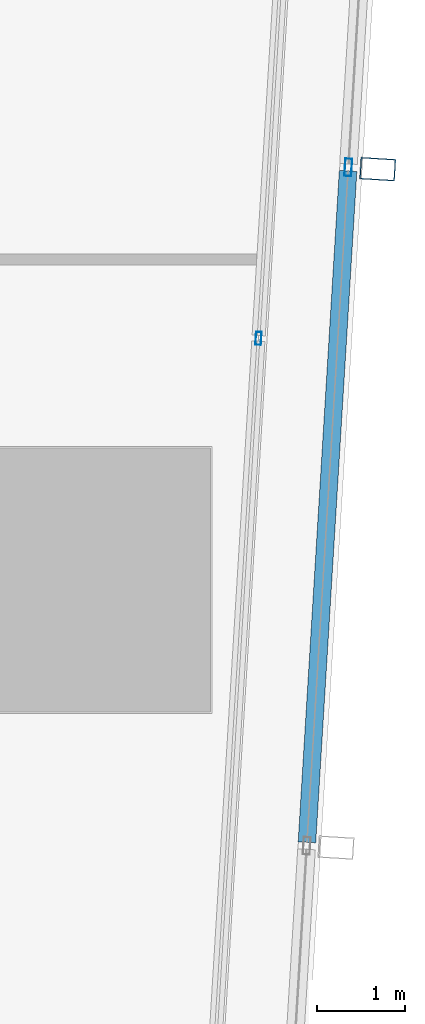
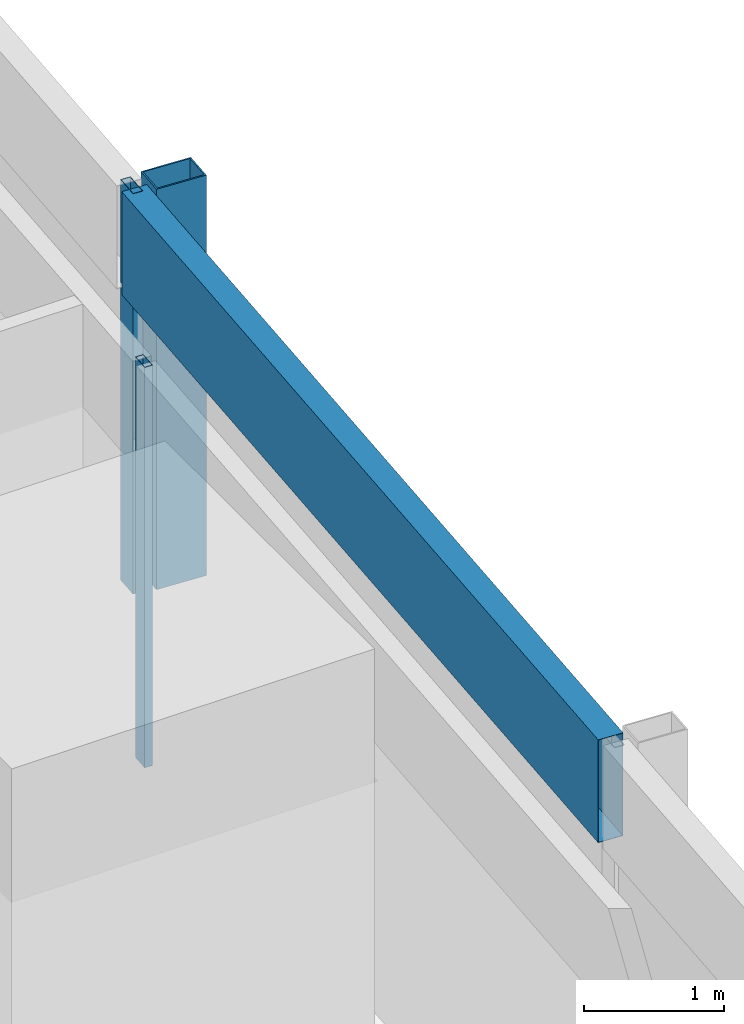
# One storey, part 24 of 39: 4 members, 2 elements without a shape of their own.
"""IFC4 building model written with IfcOpenShell, lengths in metres."""

from ifc_helpers import new_model, si_unit, direction, frame, origin, origin_2d, place, context, subcontext, project, spatial, hollow_rectangle, extrude, material, material_profile, profile_set, type_object, element, aggregate, save


model = new_model("IFC4")

# Units and contexts
model_context = context("Model", 3, precision=1e-05, world=origin(), true_north=direction((0.0, 1.0)))
body_context = subcontext(model_context, "Body", "Model", "MODEL_VIEW")
ifc_project = project(units=[si_unit("LENGTHUNIT", "METRE"), si_unit("AREAUNIT", "SQUARE_METRE"), si_unit("VOLUMEUNIT", "CUBIC_METRE"), si_unit("PLANEANGLEUNIT", "RADIAN"), si_unit("MASSUNIT", "GRAM", prefix="KILO")], contexts=[model_context])

# Site, building, storey
site_placement = place(None, origin())
site = spatial("IfcSite", under=ifc_project, at=site_placement, CompositionType="ELEMENT")
building_placement = place(site_placement, origin())
building = spatial("IfcBuilding", under=site, at=building_placement, Name="Rekha Terrace Tower", CompositionType="ELEMENT")
storey_placement = place(building_placement, frame((0.0, 0.0, 155.300048828125)))
storey = spatial("IfcBuildingStorey", under=building, at=storey_placement, Name="L39", CompositionType="ELEMENT", Elevation=155.300048828125)

# Curtain wall, member
ifc_material_1 = material(Name="Aluminium framing", Category="aluminium")
curtain_wall_type_1 = type_object("IfcCurtainWallType", Name="CW2 double skin outer glazing", PredefinedType="USERDEFINED", material=ifc_material_1)
curtain_wall_1_placement = place(storey_placement, origin())
curtain_wall_1 = element("IfcCurtainWall", 1, at=curtain_wall_1_placement, inside=storey, type_object=curtain_wall_type_1, Name="CW2 double skin outer glazing", ObjectType="DOUBLE SKIN OUTER GLAZING", PredefinedType="USERDEFINED")
ifc_material_2 = material(Name="Steel S355 with fluorocarbon finish", Category="steel")
ifc_material_profile_1 = material_profile(ifc_material_2, hollow_rectangle(XDim=0.25, YDim=0.39990234375, WallThickness=0.012451171875, at=origin_2d()), Name="RHS400x250x12.5")
ifc_profile_set_1 = profile_set([ifc_material_profile_1], Name="Steel S355 with fluorocarbon finish")
member_type_1 = type_object("IfcMemberType", Name="BL1 facade blade RHS 400 x 250", PredefinedType="USERDEFINED", material=ifc_profile_set_1)
member_1_placement = place(storey_placement, frame((70.601318359375, 38.27001953125, 0.0), z_axis=(0.0, 0.0, 1.0), x_axis=(0.061160031881, 0.998127973008, 0.0)))
member_1 = element("IfcMember", 2, at=member_1_placement, type_object=member_type_1, Name="Facade blade", ObjectType="FACADE BLADE", PredefinedType="USERDEFINED", context=body_context, shape_type="SweptSolid", body=[
    extrude(hollow_rectangle(XDim=0.25, YDim=0.39990234375, WallThickness=0.012451171875, at=origin_2d()), origin(), (0.0, 0.0, 1.0), 3.5),
])

curtain_wall_type_2 = type_object("IfcCurtainWallType", Name="CW1 double skin inner glazing", PredefinedType="USERDEFINED", material=ifc_material_1)
curtain_wall_2_placement = place(storey_placement, origin())
curtain_wall_2 = element("IfcCurtainWall", 3, at=curtain_wall_2_placement, inside=storey, type_object=curtain_wall_type_2, Name="CW1 double skin inner glazing", ObjectType="DOUBLE SKIN INNER GLAZING", PredefinedType="USERDEFINED")
ifc_material_3 = material(Name="Aluminium mullion section", Category="aluminium")
ifc_material_profile_2 = material_profile(ifc_material_3, hollow_rectangle(XDim=0.06494140625, YDim=0.14990234375, WallThickness=0.00390625, at=origin_2d()), Name="AL RHS 65x150")
ifc_profile_set_2 = profile_set([ifc_material_profile_2], Name="Aluminium mullion section")
member_type_2 = type_object("IfcMemberType", Name="CW1 mullion RHS 65 x 150", PredefinedType="MULLION", material=ifc_profile_set_2)
member_2_placement = place(storey_placement, frame((69.24609375, 36.34716796875, 0.0), z_axis=(0.0, 0.0, 1.0), x_axis=(-0.998127987023, 0.061159803148, 0.0)))
member_2 = element("IfcMember", 4, at=member_2_placement, type_object=member_type_2, Name="CW1 mullion 2", PredefinedType="MULLION", context=body_context, shape_type="SweptSolid", body=[
    extrude(hollow_rectangle(XDim=0.06494140625, YDim=0.14990234375, WallThickness=0.00390625, at=origin_2d()), origin(), (0.0, 0.0, 1.0), 3.5),
])
aggregate(curtain_wall_2, [member_2])

# Member
ifc_material_profile_3 = material_profile(ifc_material_3, hollow_rectangle(XDim=0.080078125, YDim=0.199951171875, WallThickness=0.00390625, at=origin_2d()), Name="AL RHS 80x200")
ifc_profile_set_3 = profile_set([ifc_material_profile_3], Name="Aluminium mullion section")
member_type_3 = type_object("IfcMemberType", Name="CW2 mullion RHS 80 x 200", PredefinedType="MULLION", material=ifc_profile_set_3)
member_3_placement = place(storey_placement, frame((70.266845703125, 38.29052734375, 0.0), z_axis=(0.0, 0.0, 1.0), x_axis=(-0.998127987024, 0.061159803131, 0.0)))
member_3 = element("IfcMember", 5, at=member_3_placement, type_object=member_type_3, Name="CW2 mullion 4", PredefinedType="MULLION", context=body_context, shape_type="SweptSolid", body=[
    extrude(hollow_rectangle(XDim=0.080078125, YDim=0.199951171875, WallThickness=0.00390625, at=origin_2d()), origin(), (0.0, 0.0, 1.0), 3.5),
])

ifc_material_4 = material(Name="Insulated aluminium spandrel box", Category="aluminium")
ifc_material_profile_4 = material_profile(ifc_material_4, hollow_rectangle(XDim=0.199951171875, YDim=0.89990234375, WallThickness=0.0029296875, at=origin_2d()), Name="AL SPANDREL BOX 200x900")
ifc_profile_set_4 = profile_set([ifc_material_profile_4], Name="Insulated aluminium spandrel box")
member_type_4 = type_object("IfcMemberType", Name="CW2 spandrel transom 200 x 900", PredefinedType="USERDEFINED", material=ifc_profile_set_4)
member_4_placement = place(storey_placement, frame((69.796630859375, 30.618408203125, 3.050048828125), z_axis=(0.061175629852, 0.998127017124, 0.0), x_axis=(-0.998127017124, 0.061175629852, 0.0)))
member_4 = element("IfcMember", 6, at=member_4_placement, type_object=member_type_4, Name="CW2 spandrel transom 3", ObjectType="TRANSOM", PredefinedType="USERDEFINED", context=body_context, shape_type="SweptSolid", body=[
    extrude(hollow_rectangle(XDim=0.199951171875, YDim=0.89990234375, WallThickness=0.0029296875, at=origin_2d()), origin(), (0.0, 0.0, 1.0), 7.646484375),
])

aggregate(curtain_wall_1, [member_3, member_4, member_1])

save(model, "model.ifc")
